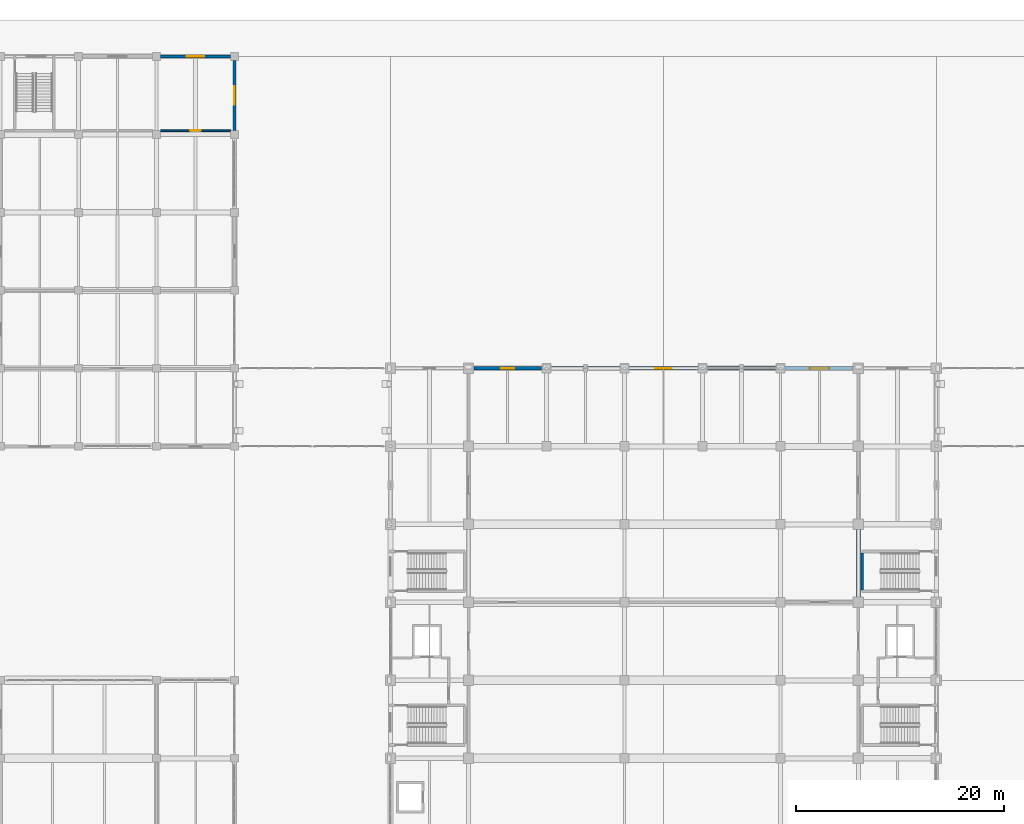
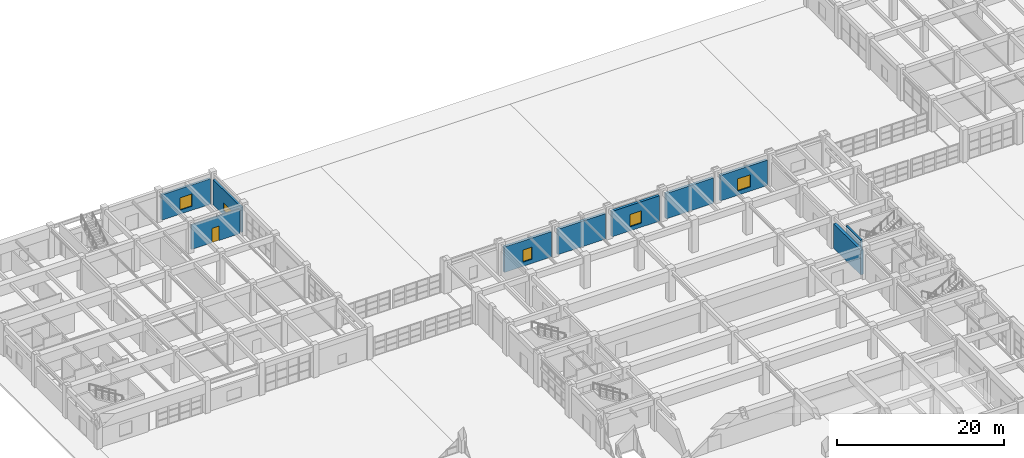
# One storey, part 92 of 122: 10 walls, 5 windows, 1 door, 6 openings.
"""IFC4 building model written with IfcOpenShell, lengths in metres."""

from ifc_helpers import new_model, si_unit, direction, frame, frame_2d, origin, place, context, subcontext, project, spatial, rectangle, extrude, material, layer, layer_set, type_object, element, fill, save


model = new_model("IFC4")

# Units and contexts
model_context = context("Model", 3, precision=1e-05, world=origin(), true_north=direction((0.0, 1.0)))
body_context = subcontext(model_context, "Body", "Model", "MODEL_VIEW")
ifc_project = project(units=[si_unit("LENGTHUNIT", "METRE"), si_unit("AREAUNIT", "SQUARE_METRE"), si_unit("VOLUMEUNIT", "CUBIC_METRE"), si_unit("PLANEANGLEUNIT", "RADIAN"), si_unit("MASSUNIT", "GRAM", prefix="KILO")], contexts=[model_context])

# Site, building, storey
site_placement = place(None, origin())
site = spatial("IfcSite", under=ifc_project, at=site_placement, CompositionType="ELEMENT")
building_placement = place(site_placement, origin())
building = spatial("IfcBuilding", under=site, at=building_placement, Name="Qasida Concert Hall", CompositionType="ELEMENT")
storey_placement = place(building_placement, origin())
storey = spatial("IfcBuildingStorey", under=building, at=storey_placement, Name="L00", CompositionType="ELEMENT", Elevation=0.0)

# Wall
ifc_material_1 = material(Name="Concrete C40/50", Category="concrete")
ifc_layer_1 = layer(ifc_material_1, 0.25, Name="Concrete C40/50")
ifc_layer_set_1 = layer_set([ifc_layer_1], Name="Concrete C40/50")
wall_type_1 = type_object("IfcWallType", Name="WL-CW-250", PredefinedType="SOLIDWALL", material=ifc_layer_set_1)
wall_1_placement = place(storey_placement, frame((97.85498046875, 61.199951171875, 0.0), z_axis=(0.0, 0.0, 1.0), x_axis=(0.0, 1.0, 0.0)))
element("IfcWall", 1, at=wall_1_placement, inside=storey, type_object=wall_type_1, Name="L00 ST-12 stairwell wall W", PredefinedType="SOLIDWALL", context=body_context, shape_type="SweptSolid", body=[
    extrude(rectangle(XDim=3.56005859375, YDim=0.25, at=frame_2d((1.780029296875, 0.0))), origin(), (0.0, 0.0, 1.0), 4.5),
])

# Wall, opening, window
ifc_material_2 = material(Name="Precast concrete C40/50", Category="concrete")
ifc_layer_2 = layer(ifc_material_2, 0.300048828125, Name="Precast concrete C40/50")
ifc_layer_set_2 = layer_set([ifc_layer_2], Name="Precast concrete C40/50")
wall_type_2 = type_object("IfcWallType", Name="WL-EW-300", PredefinedType="SOLIDWALL", material=ifc_layer_set_2)
wall_2_placement = place(storey_placement, frame((30.385009765625, 112.5, 0.0), z_axis=(0.0, 0.0, 1.0), x_axis=(1.0, 0.0, 0.0)))
wall_2 = element("IfcWall", 2, at=wall_2_placement, inside=storey, type_object=wall_type_2, Name="L00 exterior wall EW-300 0235", PredefinedType="SOLIDWALL", context=body_context, shape_type="SweptSolid", body=[
    extrude(rectangle(XDim=6.72998046875, YDim=0.300048828125, at=frame_2d((3.364990234375, 0.0))), origin(), (0.0, 0.0, 1.0), 3.719970703125),
])
opening_1_placement = place(wall_2_placement, frame((2.514892578125, 0.0, 0.60009765625)))
opening_1 = element("IfcOpeningElement", 3, at=opening_1_placement, cuts=wall_2, Name="Opening WN-05", PredefinedType="OPENING", context=body_context, shape_type="SweptSolid", body=[
    extrude(rectangle(XDim=1.699951171875, YDim=1.800048828125, at=frame_2d((0.85009765625, 0.89990234375))), frame((0.0, 0.159912109375, 0.0), z_axis=(0.0, -1.0, 0.0), x_axis=(1.0, 0.0, 0.0)), (0.0, 0.0, 1.0), 0.320068359375),
])
ifc_material_3 = material(Name="Bronze-anodized aluminium frame with acoustic low-E glazing", Category="aluminium")
window_type_1 = type_object("IfcWindowType", Name="WN-05", PartitioningType="SINGLE_PANEL", PredefinedType="WINDOW", material=ifc_material_3)
window_1_placement = place(opening_1_placement, origin())
window_1 = element("IfcWindow", 4, at=window_1_placement, inside=storey, type_object=window_type_1, Name="L00 window WN-05 0114", OverallHeight=1.800048828125, OverallWidth=1.699951171875, PartitioningType="SINGLE_PANEL", PredefinedType="WINDOW", context=body_context, shape_type="SweptSolid", body=[
    extrude(rectangle(XDim=1.699951171875, YDim=1.800048828125, at=frame_2d((0.85009765625, 0.89990234375))), frame((0.0, 0.030029296875, 0.0), z_axis=(0.0, -1.0, 0.0), x_axis=(1.0, 0.0, 0.0)), (0.0, 0.0, 1.0), 0.06005859375),
])
fill(opening_1, window_1)

wall_3_placement = place(storey_placement, frame((37.5, 105.385009765625, 0.0), z_axis=(0.0, 0.0, 1.0), x_axis=(0.0, 1.0, 0.0)))
wall_3 = element("IfcWall", 5, at=wall_3_placement, inside=storey, type_object=wall_type_2, Name="L00 exterior wall EW-300 0243", PredefinedType="SOLIDWALL", context=body_context, shape_type="SweptSolid", body=[
    extrude(rectangle(XDim=6.72998046875, YDim=0.300048828125, at=frame_2d((3.364990234375, 0.0))), origin(), (0.0, 0.0, 1.0), 3.669921875),
])
opening_2_placement = place(wall_3_placement, frame((2.465087890625, 0.0, 0.60009765625)))
opening_2 = element("IfcOpeningElement", 6, at=opening_2_placement, cuts=wall_3, Name="Opening WN-19", PredefinedType="OPENING", context=body_context, shape_type="SweptSolid", body=[
    extrude(rectangle(XDim=1.800048828125, YDim=1.199951171875, at=frame_2d((0.89990234375, 0.60009765625))), frame((0.0, 0.159912109375, 0.0), z_axis=(0.0, -1.0, 0.0), x_axis=(1.0, 0.0, 0.0)), (0.0, 0.0, 1.0), 0.320068359375),
])
window_type_2 = type_object("IfcWindowType", Name="WN-19", PartitioningType="SINGLE_PANEL", PredefinedType="WINDOW", material=ifc_material_3)
window_2_placement = place(opening_2_placement, origin())
window_2 = element("IfcWindow", 7, at=window_2_placement, inside=storey, type_object=window_type_2, Name="L00 window WN-19 0121", OverallHeight=1.199951171875, OverallWidth=1.800048828125, PartitioningType="SINGLE_PANEL", PredefinedType="WINDOW", context=body_context, shape_type="SweptSolid", body=[
    extrude(rectangle(XDim=1.800048828125, YDim=1.199951171875, at=frame_2d((0.89990234375, 0.60009765625))), frame((0.0, 0.030029296875, 0.0), z_axis=(0.0, -1.0, 0.0), x_axis=(1.0, 0.0, 0.0)), (0.0, 0.0, 1.0), 0.06005859375),
])
fill(opening_2, window_2)

ifc_layer_3 = layer(ifc_material_2, 0.360107421875, Name="Precast concrete C40/50")
ifc_layer_set_3 = layer_set([ifc_layer_3], Name="Precast concrete C40/50")
wall_type_3 = type_object("IfcWallType", Name="WL-EW-360", PredefinedType="SOLIDWALL", material=ifc_layer_set_3)
wall_4_placement = place(storey_placement, frame((60.514892578125, 82.5, 0.0), z_axis=(0.0, 0.0, 1.0), x_axis=(1.0, 0.0, 0.0)))
wall_4 = element("IfcWall", 8, at=wall_4_placement, inside=storey, type_object=wall_type_3, Name="L00 exterior wall EW-360 0025", PredefinedType="SOLIDWALL", context=body_context, shape_type="SweptSolid", body=[
    extrude(rectangle(XDim=6.52001953125, YDim=0.360107421875, at=frame_2d((3.260009765625, 0.0))), origin(), (0.0, 0.0, 1.0), 3.719970703125),
])
opening_3_placement = place(wall_4_placement, frame((2.610107421875, 0.0, 0.60009765625)))
opening_3 = element("IfcOpeningElement", 9, at=opening_3_placement, cuts=wall_4, Name="Opening WN-02", PredefinedType="OPENING", context=body_context, shape_type="SweptSolid", body=[
    extrude(rectangle(XDim=1.25, YDim=1.800048828125, at=frame_2d((0.625, 0.89990234375))), frame((0.0, 0.18994140625, 0.0), z_axis=(0.0, -1.0, 0.0), x_axis=(1.0, 0.0, 0.0)), (0.0, 0.0, 1.0), 0.380126953125),
])
window_type_3 = type_object("IfcWindowType", Name="WN-02", PartitioningType="SINGLE_PANEL", PredefinedType="WINDOW", material=ifc_material_3)
window_3_placement = place(opening_3_placement, origin())
window_3 = element("IfcWindow", 10, at=window_3_placement, inside=storey, type_object=window_type_3, Name="L00 window WN-02 0006", OverallHeight=1.800048828125, OverallWidth=1.25, PartitioningType="SINGLE_PANEL", PredefinedType="WINDOW", context=body_context, shape_type="SweptSolid", body=[
    extrude(rectangle(XDim=1.25, YDim=1.800048828125, at=frame_2d((0.625, 0.89990234375))), frame((0.0, 0.030029296875, 0.0), z_axis=(0.0, -1.0, 0.0), x_axis=(1.0, 0.0, 0.0)), (0.0, 0.0, 1.0), 0.06005859375),
])
fill(opening_3, window_3)

# Wall
wall_5_placement = place(storey_placement, frame((67.965087890625, 82.5, 0.0), z_axis=(0.0, 0.0, 1.0), x_axis=(1.0, 0.0, 0.0)))
element("IfcWall", 11, at=wall_5_placement, inside=storey, type_object=wall_type_3, Name="L00 exterior wall EW-360 0026", PredefinedType="SOLIDWALL", context=body_context, shape_type="SweptSolid", body=[
    extrude(rectangle(XDim=6.56982421875, YDim=0.360107421875, at=frame_2d((3.284912109375, 0.0))), origin(), (0.0, 0.0, 1.0), 3.719970703125),
])

# Wall, opening, window
wall_6_placement = place(storey_placement, frame((75.465087890625, 82.5, 0.0), z_axis=(0.0, 0.0, 1.0), x_axis=(1.0, 0.0, 0.0)))
wall_6 = element("IfcWall", 12, at=wall_6_placement, inside=storey, type_object=wall_type_3, Name="L00 exterior wall EW-360 0027", PredefinedType="SOLIDWALL", context=body_context, shape_type="SweptSolid", body=[
    extrude(rectangle(XDim=6.56982421875, YDim=0.360107421875, at=frame_2d((3.284912109375, 0.0))), origin(), (0.0, 0.0, 1.0), 3.719970703125),
])
opening_4_placement = place(wall_6_placement, frame((2.510009765625, 0.0, 0.60009765625)))
opening_4 = element("IfcOpeningElement", 13, at=opening_4_placement, cuts=wall_6, Name="Opening WN-04", PredefinedType="OPENING", context=body_context, shape_type="SweptSolid", body=[
    extrude(rectangle(XDim=1.550048828125, YDim=1.800048828125, at=frame_2d((0.77490234375, 0.89990234375))), frame((0.0, 0.18994140625, 0.0), z_axis=(0.0, -1.0, 0.0), x_axis=(1.0, 0.0, 0.0)), (0.0, 0.0, 1.0), 0.380126953125),
])
window_type_4 = type_object("IfcWindowType", Name="WN-04", PartitioningType="SINGLE_PANEL", PredefinedType="WINDOW", material=ifc_material_3)
window_4_placement = place(opening_4_placement, origin())
window_4 = element("IfcWindow", 14, at=window_4_placement, inside=storey, type_object=window_type_4, Name="L00 window WN-04 0007", OverallHeight=1.800048828125, OverallWidth=1.550048828125, PartitioningType="SINGLE_PANEL", PredefinedType="WINDOW", context=body_context, shape_type="SweptSolid", body=[
    extrude(rectangle(XDim=1.550048828125, YDim=1.800048828125, at=frame_2d((0.77490234375, 0.89990234375))), frame((0.0, 0.030029296875, 0.0), z_axis=(0.0, -1.0, 0.0), x_axis=(1.0, 0.0, 0.0)), (0.0, 0.0, 1.0), 0.06005859375),
])
fill(opening_4, window_4)

# Wall
wall_7_placement = place(storey_placement, frame((82.965087890625, 82.5, 0.0), z_axis=(0.0, 0.0, 1.0), x_axis=(1.0, 0.0, 0.0)))
element("IfcWall", 15, at=wall_7_placement, inside=storey, type_object=wall_type_3, Name="L00 exterior wall EW-360 0028", PredefinedType="SOLIDWALL", context=body_context, shape_type="SweptSolid", body=[
    extrude(rectangle(XDim=6.56982421875, YDim=0.360107421875, at=frame_2d((3.284912109375, 0.0))), origin(), (0.0, 0.0, 1.0), 3.719970703125),
])

# Wall, opening, window
wall_8_placement = place(storey_placement, frame((90.465087890625, 82.5, 0.0), z_axis=(0.0, 0.0, 1.0), x_axis=(1.0, 0.0, 0.0)))
wall_8 = element("IfcWall", 16, at=wall_8_placement, inside=storey, type_object=wall_type_3, Name="L00 exterior wall EW-360 0029", PredefinedType="SOLIDWALL", context=body_context, shape_type="SweptSolid", body=[
    extrude(rectangle(XDim=6.52001953125, YDim=0.360107421875, at=frame_2d((3.260009765625, 0.0))), origin(), (0.0, 0.0, 1.0), 3.719970703125),
])
opening_5_placement = place(wall_8_placement, frame((2.360107421875, 0.0, 0.60009765625)))
opening_5 = element("IfcOpeningElement", 17, at=opening_5_placement, cuts=wall_8, Name="Opening WN-06", PredefinedType="OPENING", context=body_context, shape_type="SweptSolid", body=[
    extrude(rectangle(XDim=1.85009765625, YDim=1.800048828125, at=frame_2d((0.925048828125, 0.89990234375))), frame((0.0, 0.18994140625, 0.0), z_axis=(0.0, -1.0, 0.0), x_axis=(1.0, 0.0, 0.0)), (0.0, 0.0, 1.0), 0.380126953125),
])
window_type_5 = type_object("IfcWindowType", Name="WN-06", PartitioningType="SINGLE_PANEL", PredefinedType="WINDOW", material=ifc_material_3)
window_5_placement = place(opening_5_placement, origin())
window_5 = element("IfcWindow", 18, at=window_5_placement, inside=storey, type_object=window_type_5, Name="L00 window WN-06 0008", OverallHeight=1.800048828125, OverallWidth=1.85009765625, PartitioningType="SINGLE_PANEL", PredefinedType="WINDOW", context=body_context, shape_type="SweptSolid", body=[
    extrude(rectangle(XDim=1.85009765625, YDim=1.800048828125, at=frame_2d((0.925048828125, 0.89990234375))), frame((0.0, 0.030029296875, 0.0), z_axis=(0.0, -1.0, 0.0), x_axis=(1.0, 0.0, 0.0)), (0.0, 0.0, 1.0), 0.06005859375),
])
fill(opening_5, window_5)

# Wall, opening, door
ifc_material_4 = material(Name="Acoustic metal-stud gypsum partition", Category="gypsum")
ifc_layer_4 = layer(ifc_material_4, 0.179931640625, Name="Acoustic metal-stud gypsum partition")
ifc_layer_set_4 = layer_set([ifc_layer_4], Name="Acoustic metal-stud gypsum partition")
wall_type_4 = type_object("IfcWallType", Name="WL-PW-180", PredefinedType="PARTITIONING", material=ifc_layer_set_4)
wall_9_placement = place(storey_placement, frame((30.388916015625, 105.35009765625, 0.0), z_axis=(0.0, 0.0, 1.0), x_axis=(1.0, 0.0, 0.0)))
wall_9 = element("IfcWall", 19, at=wall_9_placement, inside=storey, type_object=wall_type_4, Name="L00 partition PW-180 0275", PredefinedType="PARTITIONING", context=body_context, shape_type="SweptSolid", body=[
    extrude(rectangle(XDim=6.72216796875, YDim=0.179931640625, at=frame_2d((3.361083984375, 0.0))), origin(), (0.0, 0.0, 1.0), 3.6201171875),
])
opening_6_placement = place(wall_9_placement, frame((2.861083984375, 0.0, 0.0)))
opening_6 = element("IfcOpeningElement", 20, at=opening_6_placement, cuts=wall_9, Name="Opening ID-100", PredefinedType="OPENING", context=body_context, shape_type="SweptSolid", body=[
    extrude(rectangle(XDim=1.0, YDim=2.1201171875, at=frame_2d((0.5, 1.06005859375))), frame((0.0, 0.099853515625, 0.0), z_axis=(0.0, -1.0, 0.0), x_axis=(1.0, 0.0, 0.0)), (0.0, 0.0, 1.0), 0.199951171875),
])
ifc_material_5 = material(Name="Quarter-sawn oak dressing suite door", Category="wood")
door_type = type_object("IfcDoorType", Name="ID-100", OperationType="NOTDEFINED", PredefinedType="DOOR", material=ifc_material_5)
door_placement = place(opening_6_placement, origin())
door = element("IfcDoor", 21, at=door_placement, inside=storey, type_object=door_type, Name="L00 Visiting soloist suite north door", OperationType="SINGLE_SWING_RIGHT", OverallHeight=2.1201171875, OverallWidth=1.0, PredefinedType="DOOR", context=body_context, shape_type="SweptSolid", body=[
    extrude(rectangle(XDim=1.0, YDim=2.1201171875, at=frame_2d((0.5, 1.06005859375))), frame((0.0, 0.02490234375, 0.0), z_axis=(0.0, -1.0, 0.0), x_axis=(1.0, 0.0, 0.0)), (0.0, 0.0, 1.0), 0.050048828125),
])
fill(opening_6, door)

# Wall
ifc_layer_5 = layer(ifc_material_1, 0.39990234375, Name="Concrete C40/50")
ifc_layer_set_5 = layer_set([ifc_layer_5], Name="Concrete C40/50")
wall_type_5 = type_object("IfcWallType", Name="WL-SW-400", PredefinedType="SHEAR", material=ifc_layer_set_5)
wall_10_placement = place(storey_placement, frame((97.5, 60.5, 0.0), z_axis=(0.0, 0.0, 1.0), x_axis=(0.0, 1.0, 0.0)))
element("IfcWall", 22, at=wall_10_placement, inside=storey, type_object=wall_type_5, Name="L00 acoustic box shear wall 0011", PredefinedType="SHEAR", context=body_context, shape_type="SweptSolid", body=[
    extrude(rectangle(XDim=6.5, YDim=0.39990234375, at=frame_2d((3.25, 0.0))), origin(), (0.0, 0.0, 1.0), 3.60009765625),
])

save(model, "model.ifc")
